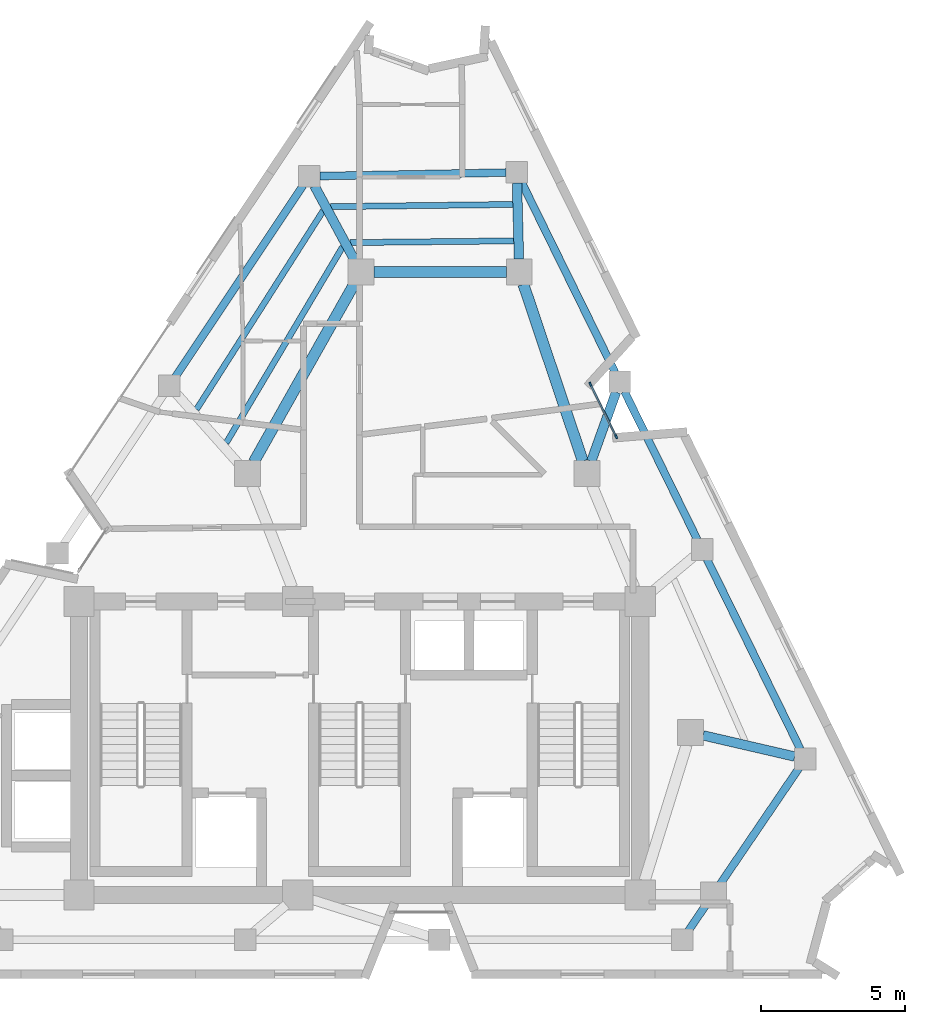
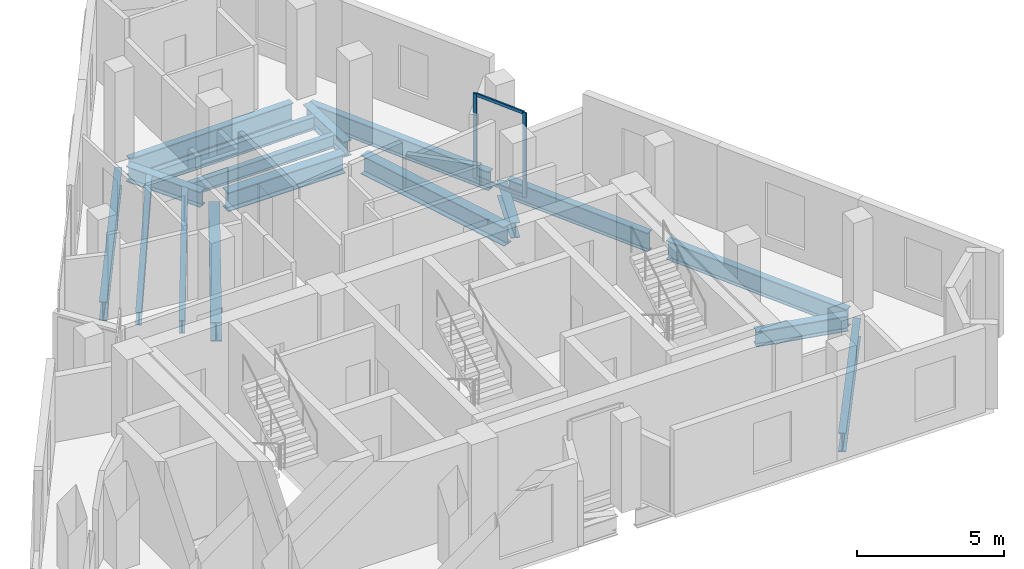
# One storey, part 3 of 8: 17 beams, 4 members, 1 element without a shape of its own.
"""IFC4 building model written with IfcOpenShell, lengths in metres."""

import ifcopenshell
import ifcopenshell.guid

model = None  # the IFC model being written
_history = None  # IfcOwnerHistory: only IFC2X3 demands one
_inside = {}  # id of a spatial element -> (the spatial element, [elements in it])
_under = {}  # id of a project, library or spatial element -> (it, [spatial elements below it])
_declared = {}  # id of a project -> (the project, [libraries it declares])
_typed = {}  # id of a type object -> (the type object, [elements of that type])
_made_of = {}  # id of a material, layer set ... -> (it, [elements and type objects made of it])


def new_model(schema):
    """Start an empty IFC model of exactly this schema.

    Asked for "IFC4X3", IfcOpenShell would pick the latest addendum, in which some entities
    have other attributes; the version numbers below select the first issue.
    IFC2X3 requires an IfcOwnerHistory on every rooted entity: one is made here for all.
    """
    global model, _history
    if schema == "IFC4X3":
        model = ifcopenshell.file(schema_version=(4, 3, 0, 0))
    else:
        model = ifcopenshell.file(schema=schema)
    _inside.clear()
    _under.clear()
    _declared.clear()
    _typed.clear()
    _made_of.clear()
    _history = None
    if model.schema == "IFC2X3":
        org = make("IfcOrganization", Name="unknown")
        user = make(
            "IfcPersonAndOrganization",
            ThePerson=make("IfcPerson", FamilyName="unknown"),
            TheOrganization=org,
        )
        app = make(
            "IfcApplication",
            ApplicationDeveloper=org,
            Version="unknown",
            ApplicationFullName="unknown",
            ApplicationIdentifier="unknown",
        )
        _history = make(
            "IfcOwnerHistory",
            OwningUser=user,
            OwningApplication=app,
            ChangeAction="ADDED",
            CreationDate=0,
        )
    return model


def make(cls, **values):
    """One entity of the class cls with the attributes given. An attribute that is None is left unset."""
    return model.create_entity(
        cls, **{name: value for name, value in values.items() if value is not None}
    )


def rooted(cls, **values):
    """An entity with a GlobalId (a new one), such as an element, a storey or a relation."""
    return make(cls, GlobalId=ifcopenshell.guid.new(), OwnerHistory=_history, **values)


def si_unit(unit_type, name, prefix=None):
    """IfcSIUnit, for example si_unit("LENGTHUNIT", "METRE", prefix="MILLI")."""
    return make("IfcSIUnit", UnitType=unit_type, Prefix=prefix, Name=name)


def assignment(units):
    """IfcUnitAssignment: the units of a project."""
    return None if units is None else make("IfcUnitAssignment", Units=units)


def point(xyz):
    """IfcCartesianPoint."""
    return None if xyz is None else make("IfcCartesianPoint", Coordinates=xyz)


def direction(xyz):
    """IfcDirection."""
    return None if xyz is None else make("IfcDirection", DirectionRatios=xyz)


def frame(location, z_axis=None, x_axis=None):
    """IfcAxis2Placement3D, a coordinate frame: its origin and axes. An axis left out is left unset."""
    return make(
        "IfcAxis2Placement3D",
        Location=point(location),
        Axis=direction(z_axis),
        RefDirection=direction(x_axis),
    )


def frame_2d(location, x_axis=None):
    """IfcAxis2Placement2D, a coordinate frame in the plane: its origin and x axis."""
    return make(
        "IfcAxis2Placement2D", Location=point(location), RefDirection=direction(x_axis)
    )


def origin():
    """The frame at (0, 0, 0) with its axes left unset."""
    return frame((0.0, 0.0, 0.0))


def origin_2d():
    """The frame at (0, 0) in the plane with its x axis left unset."""
    return frame_2d((0.0, 0.0))


def place(relative_to, where):
    """IfcLocalPlacement: puts the frame where relative to a parent placement (None: the world)."""
    return make(
        "IfcLocalPlacement", PlacementRelTo=relative_to, RelativePlacement=where
    )


def context(
    kind, dimensions, precision=None, world=None, true_north=None, identifier=None
):
    """IfcGeometricRepresentationContext, for example the 3D "Model" context."""
    return make(
        "IfcGeometricRepresentationContext",
        ContextIdentifier=identifier,
        ContextType=kind,
        CoordinateSpaceDimension=dimensions,
        Precision=precision,
        WorldCoordinateSystem=world,
        TrueNorth=true_north,
    )


def subcontext(parent, identifier, kind, view, scale=None):
    """IfcGeometricRepresentationSubContext, for example "Body" below "Model"."""
    return make(
        "IfcGeometricRepresentationSubContext",
        ContextIdentifier=identifier,
        ContextType=kind,
        ParentContext=parent,
        TargetScale=scale,
        TargetView=view,
    )


def project(units=None, contexts=None):
    """IfcProject with its units and contexts."""
    return rooted(
        "IfcProject",
        Name="project",
        RepresentationContexts=contexts,
        UnitsInContext=assignment(units),
    )


def spatial(cls, under=None, at=None, **own):
    """A site, building, storey or space (cls), placed at a placement, below another one or the project."""
    s = rooted(cls, ObjectPlacement=at, **own)
    if under is not None:
        _under.setdefault(under.id(), (under, []))[1].append(s)
    return s


def profile(cls, at=None, kind="AREA", **sizes):
    """A parametric profile (cls). Its sizes go by their IFC names, for example OverallWidth=200.0."""
    return make(cls, ProfileType=kind, Position=at, **sizes)


def rectangle(**sizes):
    """IfcRectangleProfileDef."""
    return profile("IfcRectangleProfileDef", **sizes)


def i_section(**sizes):
    """IfcIShapeProfileDef."""
    return profile("IfcIShapeProfileDef", **sizes)


def extrude(swept, where, along, depth):
    """IfcExtrudedAreaSolid: the profile swept, set in the frame where, extruded along a direction by depth."""
    return make(
        "IfcExtrudedAreaSolid",
        SweptArea=swept,
        Position=where,
        ExtrudedDirection=direction(along),
        Depth=depth,
    )


def shape(context_of_items, identifier, shape_type, items):
    """IfcShapeRepresentation: the items that make up one representation, for example the "Body"."""
    return make(
        "IfcShapeRepresentation",
        ContextOfItems=context_of_items,
        RepresentationIdentifier=identifier,
        RepresentationType=shape_type,
        Items=items,
    )


def material(Name=None, Category=None):
    """IfcMaterial."""
    return make("IfcMaterial", Name=Name, Category=Category)


def layer(
    of_material, thickness, ventilated=None, Name=None, Category=None, Priority=None
):
    """IfcMaterialLayer: one layer of a wall or slab, of a material (None: an air gap)."""
    return make(
        "IfcMaterialLayer",
        Material=of_material,
        LayerThickness=thickness,
        IsVentilated=ventilated,
        Name=Name,
        Category=Category,
        Priority=Priority,
    )


def layer_set(layers, Name=None):
    """IfcMaterialLayerSet."""
    return make("IfcMaterialLayerSet", MaterialLayers=layers, LayerSetName=Name)


def material_profile(
    of_material, cross_section, Name=None, Category=None, Priority=None
):
    """IfcMaterialProfile: a cross section and its material."""
    return make(
        "IfcMaterialProfile",
        Name=Name,
        Material=of_material,
        Profile=cross_section,
        Priority=Priority,
        Category=Category,
    )


def profile_set(profiles, Name=None, composite=None):
    """IfcMaterialProfileSet."""
    return make(
        "IfcMaterialProfileSet",
        Name=Name,
        MaterialProfiles=profiles,
        CompositeProfile=composite,
    )


def made_of(thing, what):
    """Note that an element or type object is made of a material, layer set ...; save() writes the relation."""
    if what is not None:
        _made_of.setdefault(what.id(), (what, []))[1].append(thing)
    return thing


def type_object(cls, material=None, **own):
    """A type object (cls), such as IfcWallType, which elements share."""
    return made_of(rooted(cls, **own), material)


def element(
    cls,
    number,
    at=None,
    inside=None,
    cuts=None,
    type_object=None,
    material=None,
    context=None,
    identifier="Body",
    shape_type=None,
    held_by="IfcProductDefinitionShape",
    body=None,
    shapes=None,
    **own,
):
    """One element of the class cls, such as IfcWall. Its Tag is "e" and its number.

    at: its placement. inside: the storey or other place that contains it. cuts: it is an
    opening in that element (IfcRelVoidsElement). A single representation is given by context,
    identifier, shape_type and body (its items); several are given by shapes. held_by: the class
    of the entity that holds the representations. save() writes the other relations.
    """
    e = rooted(cls, Tag="e%d" % number, ObjectPlacement=at, **own)
    if body is not None:
        shapes = [shape(context, identifier, shape_type, body)]
    if shapes is not None:
        e.Representation = make(held_by, Representations=shapes)
    if inside is not None:
        _inside.setdefault(inside.id(), (inside, []))[1].append(e)
    if cuts is not None:
        rooted(
            "IfcRelVoidsElement", RelatingBuildingElement=cuts, RelatedOpeningElement=e
        )
    if type_object is not None:
        _typed.setdefault(type_object.id(), (type_object, []))[1].append(e)
    return made_of(e, material)


def aggregate(whole, parts):
    """IfcRelAggregates: a whole, such as a stair, and the parts it consists of."""
    return rooted("IfcRelAggregates", RelatingObject=whole, RelatedObjects=parts)


def save(model, path):
    """Write the relations noted so far, then the file.

    IfcRelAggregates (storeys below a building ...), IfcRelContainedInSpatialStructure (elements
    in a storey), IfcRelDefinesByType, IfcRelAssociatesMaterial and IfcRelDeclares: one each for
    every whole, place, type object, material and project.
    """
    for whole, parts in _under.values():
        aggregate(whole, parts)
    for where, things in _inside.values():
        rooted(
            "IfcRelContainedInSpatialStructure",
            RelatedElements=things,
            RelatingStructure=where,
        )
    for kind, things in _typed.values():
        rooted("IfcRelDefinesByType", RelatedObjects=things, RelatingType=kind)
    for what, things in _made_of.values():
        rooted("IfcRelAssociatesMaterial", RelatedObjects=things, RelatingMaterial=what)
    for by, libraries in _declared.values():
        rooted("IfcRelDeclares", RelatingContext=by, RelatedDefinitions=libraries)
    model.write(path)


model = new_model("IFC4")

# Units and contexts
model_context = context("Model", 3, precision=1e-05, world=origin(), true_north=direction((0.0, 1.0)))
body_context = subcontext(model_context, "Body", "Model", "MODEL_VIEW")
ifc_project = project(units=[si_unit("LENGTHUNIT", "METRE"), si_unit("AREAUNIT", "SQUARE_METRE"), si_unit("VOLUMEUNIT", "CUBIC_METRE"), si_unit("PLANEANGLEUNIT", "RADIAN"), si_unit("MASSUNIT", "GRAM", prefix="KILO")], contexts=[model_context])

# Site, building, storey
site_placement = place(None, origin())
site = spatial("IfcSite", under=ifc_project, at=site_placement, CompositionType="ELEMENT")
building_placement = place(site_placement, origin())
building = spatial("IfcBuilding", under=site, at=building_placement, Name="Almagre Mirador Tower", CompositionType="ELEMENT")
storey_placement = place(building_placement, frame((0.0, 0.0, 282.0)))
storey = spatial("IfcBuildingStorey", under=building, at=storey_placement, Name="L73", CompositionType="ELEMENT", Elevation=282.0)

# Beams
ifc_material_1 = material(Name="Steel ASTM A992 Grade 50", Category="steel")
ifc_material_profile_1 = material_profile(ifc_material_1, i_section(OverallWidth=0.208984375, OverallDepth=0.532958984375, WebThickness=0.01025390625, FlangeThickness=0.015625, FilletRadius=0.01806640625, at=origin_2d()), Name="W21X62")
ifc_profile_set_1 = profile_set([ifc_material_profile_1], Name="Steel ASTM A992 Grade 50")
beam_type_1 = type_object("IfcBeamType", Name="BM-JST-W21X62", PredefinedType="JOIST", material=ifc_profile_set_1)
beam_1_placement = place(storey_placement, frame((42.62451171875, 28.546630859375, -0.5166015625), z_axis=(-0.999926806347, -0.012098840784, 0.0), x_axis=(0.012098840784, -0.999926806347, 0.0)))
element("IfcBeam", 1, at=beam_1_placement, inside=storey, type_object=beam_type_1, Name="L73 secondary floor joist PC08-PC09.1", PredefinedType="JOIST", context=body_context, shape_type="SweptSolid", body=[
    extrude(i_section(OverallWidth=0.208984375, OverallDepth=0.532958984375, WebThickness=0.01025390625, FlangeThickness=0.015625, FilletRadius=0.01806640625, at=origin_2d()), origin(), (0.0, 0.0, 1.0), 6.336181640625),
])
beam_2_placement = place(storey_placement, frame((42.656982421875, 27.281005859375, -0.5166015625), z_axis=(-0.999945713719, -0.010419674461, 0.0), x_axis=(0.010419674461, -0.999945713719, 0.0)))
element("IfcBeam", 2, at=beam_2_placement, inside=storey, type_object=beam_type_1, Name="L73 secondary floor joist PC08-PC09.3", PredefinedType="JOIST", context=body_context, shape_type="SweptSolid", body=[
    extrude(i_section(OverallWidth=0.208984375, OverallDepth=0.532958984375, WebThickness=0.01025390625, FlangeThickness=0.015625, FilletRadius=0.01806640625, at=origin_2d()), origin(), (0.0, 0.0, 1.0), 5.693603515625),
])
beam_3_placement = place(storey_placement, frame((36.03515625, 28.328857421875, -0.5166015625), z_axis=(-0.537483129347, -0.843274501967, 0.0), x_axis=(0.843274501967, -0.537483129347, 0.0)))
element("IfcBeam", 3, at=beam_3_placement, inside=storey, type_object=beam_type_1, Name="L73 secondary floor joist PC09-PC10.1", PredefinedType="JOIST", context=body_context, shape_type="SweptSolid", body=[
    extrude(i_section(OverallWidth=0.208984375, OverallDepth=0.532958984375, WebThickness=0.01025390625, FlangeThickness=0.015625, FilletRadius=0.01806640625, at=origin_2d()), origin(), (0.0, 0.0, 1.0), 8.1875),
])
beam_4_placement = place(storey_placement, frame((36.71435546875, 27.078125, -0.5166015625), z_axis=(-0.510523100762, -0.85986403785, 0.0), x_axis=(0.85986403785, -0.510523100762, 0.0)))
element("IfcBeam", 4, at=beam_4_placement, inside=storey, type_object=beam_type_1, Name="L73 secondary floor joist PC09-PC10.3", PredefinedType="JOIST", context=body_context, shape_type="SweptSolid", body=[
    extrude(i_section(OverallWidth=0.208984375, OverallDepth=0.532958984375, WebThickness=0.01025390625, FlangeThickness=0.015625, FilletRadius=0.01806640625, at=origin_2d()), origin(), (0.0, 0.0, 1.0), 7.927978515625),
])
ifc_material_2 = material(Name="Steel ASTM A992 Grade 50", Category="steel")
ifc_material_profile_2 = material_profile(ifc_material_2, i_section(OverallWidth=0.26708984375, OverallDepth=0.779052734375, WebThickness=0.0166015625, FlangeThickness=0.030029296875, FilletRadius=0.02392578125, at=origin_2d()), Name="W30X148")
ifc_profile_set_2 = profile_set([ifc_material_profile_2], Name="Steel ASTM A992 Grade 50")
beam_type_2 = type_object("IfcBeamType", Name="BM-SPN-W30X148", PredefinedType="SPANDREL", material=ifc_profile_set_2)
beam_5_placement = place(storey_placement, frame((48.726806640625, 3.31005859375, -0.639404296875), z_axis=(0.562310021407, 0.82692650207, 0.0), x_axis=(-0.82692650207, 0.562310021407, 0.0)))
element("IfcBeam", 5, at=beam_5_placement, inside=storey, type_object=beam_type_2, Name="L73 perimeter spandrel beam PC04-PC05", PredefinedType="SPANDREL", context=body_context, shape_type="SweptSolid", body=[
    extrude(i_section(OverallWidth=0.26708984375, OverallDepth=0.779052734375, WebThickness=0.0166015625, FlangeThickness=0.030029296875, FilletRadius=0.02392578125, at=origin_2d()), origin(), (0.0, 0.0, 1.0), 6.842041015625),
])
beam_6_placement = place(storey_placement, frame((52.619384765625, 9.614501953125, -0.639404296875), z_axis=(-0.441261435998, 0.897378596302, 0.0), x_axis=(-0.897378596302, -0.441261435998, 0.0)))
element("IfcBeam", 6, at=beam_6_placement, inside=storey, type_object=beam_type_2, Name="L73 perimeter spandrel beam PC05-PC06", PredefinedType="SPANDREL", context=body_context, shape_type="SweptSolid", body=[
    extrude(i_section(OverallWidth=0.26708984375, OverallDepth=0.779052734375, WebThickness=0.0166015625, FlangeThickness=0.030029296875, FilletRadius=0.02392578125, at=origin_2d()), origin(), (0.0, 0.0, 1.0), 7.362548828125),
])
beam_7_placement = place(storey_placement, frame((49.03955078125, 16.89453125, -0.639404296875), z_axis=(-0.441283159843, 0.897367913867, 0.0), x_axis=(-0.897367913867, -0.441283159843, 0.0)))
element("IfcBeam", 7, at=beam_7_placement, inside=storey, type_object=beam_type_2, Name="L73 perimeter spandrel beam PC06-PC07", PredefinedType="SPANDREL", context=body_context, shape_type="SweptSolid", body=[
    extrude(i_section(OverallWidth=0.26708984375, OverallDepth=0.779052734375, WebThickness=0.0166015625, FlangeThickness=0.030029296875, FilletRadius=0.02392578125, at=origin_2d()), origin(), (0.0, 0.0, 1.0), 5.739990234375),
])
beam_8_placement = place(storey_placement, frame((46.175537109375, 22.718505859375, -0.639404296875), z_axis=(-0.441288138853, 0.897365465408, 0.0), x_axis=(-0.897365465408, -0.441288138853, 0.0)))
element("IfcBeam", 8, at=beam_8_placement, inside=storey, type_object=beam_type_2, Name="L73 perimeter spandrel beam PC07-PC08", PredefinedType="SPANDREL", context=body_context, shape_type="SweptSolid", body=[
    extrude(i_section(OverallWidth=0.26708984375, OverallDepth=0.779052734375, WebThickness=0.0166015625, FlangeThickness=0.030029296875, FilletRadius=0.02392578125, at=origin_2d()), origin(), (0.0, 0.0, 1.0), 7.362548828125),
])
beam_9_placement = place(storey_placement, frame((42.385986328125, 29.65478515625, -0.639404296875), z_axis=(-0.99982288109, -0.018820373253, 0.0), x_axis=(0.018820373253, -0.99982288109, 0.0)))
element("IfcBeam", 9, at=beam_9_placement, inside=storey, type_object=beam_type_2, Name="L73 perimeter spandrel beam PC08-PC09", PredefinedType="SPANDREL", context=body_context, shape_type="SweptSolid", body=[
    extrude(i_section(OverallWidth=0.26708984375, OverallDepth=0.779052734375, WebThickness=0.0166015625, FlangeThickness=0.030029296875, FilletRadius=0.02392578125, at=origin_2d()), origin(), (0.0, 0.0, 1.0), 6.460205078125),
])
beam_10_placement = place(storey_placement, frame((35.34375, 29.214111328125, -0.639404296875), z_axis=(-0.555228061938, -0.831698141898, 0.0), x_axis=(0.831698141898, -0.555228061938, 0.0)))
element("IfcBeam", 10, at=beam_10_placement, inside=storey, type_object=beam_type_2, Name="L73 perimeter spandrel beam PC09-PC10", PredefinedType="SPANDREL", context=body_context, shape_type="SweptSolid", body=[
    extrude(i_section(OverallWidth=0.26708984375, OverallDepth=0.779052734375, WebThickness=0.0166015625, FlangeThickness=0.030029296875, FilletRadius=0.02392578125, at=origin_2d()), origin(), (0.0, 0.0, 1.0), 8.003173828125),
])
ifc_material_3 = material(Name="Steel ASTM A992 Grade 50", Category="steel")
ifc_material_profile_3 = material_profile(ifc_material_3, i_section(OverallWidth=0.330078125, OverallDepth=0.635009765625, WebThickness=0.017822265625, FlangeThickness=0.031005859375, FilletRadius=0.02001953125, at=origin_2d()), Name="W24X162")
ifc_profile_set_3 = profile_set([ifc_material_profile_3], Name="Steel ASTM A992 Grade 50")
beam_type_3 = type_object("IfcBeamType", Name="BM-STL-W24X162", PredefinedType="BEAM", material=ifc_profile_set_3)
beam_11_placement = place(storey_placement, frame((52.419677734375, 9.362548828125, -0.5673828125), z_axis=(-0.974262507949, 0.225416427094, 0.0), x_axis=(-0.225416427094, -0.974262507949, 0.0)))
element("IfcBeam", 11, at=beam_11_placement, inside=storey, type_object=beam_type_3, Name="L73 radial floor girder PC05-MC3", PredefinedType="BEAM", context=body_context, shape_type="SweptSolid", body=[
    extrude(i_section(OverallWidth=0.330078125, OverallDepth=0.635009765625, WebThickness=0.017822265625, FlangeThickness=0.031005859375, FilletRadius=0.02001953125, at=origin_2d()), origin(), (0.0, 0.0, 1.0), 3.265380859375),
])
beam_12_placement = place(storey_placement, frame((46.21435546875, 22.029052734375, -0.5673828125), z_axis=(-0.337528381074, -0.941315352031, 0.0), x_axis=(0.941315352031, -0.337528381074, 0.0)))
element("IfcBeam", 12, at=beam_12_placement, inside=storey, type_object=beam_type_3, Name="L73 radial floor girder PC07-MC5", PredefinedType="BEAM", context=body_context, shape_type="SweptSolid", body=[
    extrude(i_section(OverallWidth=0.330078125, OverallDepth=0.635009765625, WebThickness=0.017822265625, FlangeThickness=0.031005859375, FilletRadius=0.02001953125, at=origin_2d()), origin(), (0.0, 0.0, 1.0), 2.555419921875),
])
beam_13_placement = place(storey_placement, frame((42.7705078125, 29.287109375, -0.5673828125), z_axis=(0.025727456063, -0.99966899422, 0.0), x_axis=(0.99966899422, 0.025727456063, 0.0)))
element("IfcBeam", 13, at=beam_13_placement, inside=storey, type_object=beam_type_3, Name="L73 radial floor girder PC08-MC6", PredefinedType="BEAM", context=body_context, shape_type="SweptSolid", body=[
    extrude(i_section(OverallWidth=0.330078125, OverallDepth=0.635009765625, WebThickness=0.017822265625, FlangeThickness=0.031005859375, FilletRadius=0.02001953125, at=origin_2d()), origin(), (0.0, 0.0, 1.0), 2.63818359375),
])
beam_14_placement = place(storey_placement, frame((35.730224609375, 29.196044921875, -0.5673828125), z_axis=(0.475596501602, -0.879663553675, 0.0), x_axis=(0.879663553675, 0.475596501602, 0.0)))
element("IfcBeam", 14, at=beam_14_placement, inside=storey, type_object=beam_type_3, Name="L73 radial floor girder PC09-MC7", PredefinedType="BEAM", context=body_context, shape_type="SweptSolid", body=[
    extrude(i_section(OverallWidth=0.330078125, OverallDepth=0.635009765625, WebThickness=0.017822265625, FlangeThickness=0.031005859375, FilletRadius=0.02001953125, at=origin_2d()), origin(), (0.0, 0.0, 1.0), 2.955810546875),
])
ifc_material_4 = material(Name="Steel ASTM A992 Grade 50", Category="steel")
ifc_material_profile_4 = material_profile(ifc_material_4, i_section(OverallWidth=0.384033203125, OverallDepth=0.784912109375, WebThickness=0.019775390625, FlangeThickness=0.033447265625, FilletRadius=0.02392578125, at=origin_2d()), Name="W30X211")
ifc_profile_set_4 = profile_set([ifc_material_profile_4], Name="Steel ASTM A992 Grade 50")
beam_type_4 = type_object("IfcBeamType", Name="BM-STL-W30X211", PredefinedType="BEAM", material=ifc_profile_set_4)
beam_15_placement = place(storey_placement, frame((37.800048828125, 26.199951171875, -0.642578125), z_axis=(1.0, 0.0, 0.0), x_axis=(0.0, 1.0, 0.0)))
element("IfcBeam", 15, at=beam_15_placement, inside=storey, type_object=beam_type_4, Name="L73 core tie girder MC7-MC6", PredefinedType="BEAM", context=body_context, shape_type="SweptSolid", body=[
    extrude(i_section(OverallWidth=0.384033203125, OverallDepth=0.784912109375, WebThickness=0.019775390625, FlangeThickness=0.033447265625, FilletRadius=0.02392578125, at=origin_2d()), origin(), (0.0, 0.0, 1.0), 4.599853515625),
])
beam_16_placement = place(storey_placement, frame((42.9931640625, 25.7734375, -0.642578125), z_axis=(0.318282890726, -0.947995781357, 0.0), x_axis=(0.947995781357, 0.318282890726, 0.0)))
element("IfcBeam", 16, at=beam_16_placement, inside=storey, type_object=beam_type_4, Name="L73 core tie girder MC6-MC5", PredefinedType="BEAM", context=body_context, shape_type="SweptSolid", body=[
    extrude(i_section(OverallWidth=0.384033203125, OverallDepth=0.784912109375, WebThickness=0.019775390625, FlangeThickness=0.033447265625, FilletRadius=0.02392578125, at=origin_2d()), origin(), (0.0, 0.0, 1.0), 6.48388671875),
])
beam_17_placement = place(storey_placement, frame((37.12890625, 25.80810546875, -0.642578125), z_axis=(-0.491446261843, -0.870907900825, 0.0), x_axis=(0.870907900825, -0.491446261843, 0.0)))
element("IfcBeam", 17, at=beam_17_placement, inside=storey, type_object=beam_type_4, Name="L73 core tie girder MC7-MC8", PredefinedType="BEAM", context=body_context, shape_type="SweptSolid", body=[
    extrude(i_section(OverallWidth=0.384033203125, OverallDepth=0.784912109375, WebThickness=0.019775390625, FlangeThickness=0.033447265625, FilletRadius=0.02392578125, at=origin_2d()), origin(), (0.0, 0.0, 1.0), 7.1376953125),
])

# Curtain wall, members
ifc_material_5 = material(Name="Black anodized aluminium", Category="aluminium")
ifc_layer = layer(ifc_material_5, 0.169921875)
ifc_layer_set = layer_set([ifc_layer], Name="Black anodized aluminium")
curtain_wall_type = type_object("IfcCurtainWallType", Name="CW-CRS-SYS", PredefinedType="NOTDEFINED", material=ifc_layer_set)
curtain_wall_placement = place(storey_placement, origin())
curtain_wall = element("IfcCurtainWall", 18, at=curtain_wall_placement, inside=storey, type_object=curtain_wall_type, Name="L73 vertical crease curtain wall 03", PredefinedType="NOTDEFINED")
ifc_material_6 = material(Name="Black anodized aluminium", Category="aluminium")
ifc_material_profile_5 = material_profile(ifc_material_6, rectangle(XDim=0.06005859375, YDim=0.14990234375, at=origin_2d()), Name="CWM60X150")
ifc_profile_set_5 = profile_set([ifc_material_profile_5], Name="Black anodized aluminium")
member_type_1 = type_object("IfcMemberType", Name="MBR-CWM60X150", PredefinedType="MULLION", material=ifc_profile_set_5)
member_1_placement = place(storey_placement, frame((45.3232421875, 22.300048828125, 0.0), z_axis=(0.0, 0.0, 1.0), x_axis=(0.897467953869, 0.441079666023, 0.0)))
member_1 = element("IfcMember", 19, at=member_1_placement, type_object=member_type_1, Name="CW-4 mullion 1", PredefinedType="MULLION", context=body_context, shape_type="SweptSolid", body=[
    extrude(rectangle(XDim=0.06005859375, YDim=0.14990234375, at=origin_2d()), origin(), (0.0, 0.0, 1.0), 3.5),
])
member_2_placement = place(storey_placement, frame((46.21875, 20.47802734375, 0.0), z_axis=(0.0, 0.0, 1.0), x_axis=(0.897467953869, 0.441079666023, 0.0)))
member_2 = element("IfcMember", 20, at=member_2_placement, type_object=member_type_1, Name="CW-4 mullion 2", PredefinedType="MULLION", context=body_context, shape_type="SweptSolid", body=[
    extrude(rectangle(XDim=0.06005859375, YDim=0.14990234375, at=origin_2d()), origin(), (0.0, 0.0, 1.0), 3.5),
])
ifc_material_7 = material(Name="Black anodized aluminium", Category="aluminium")
ifc_material_profile_6 = material_profile(ifc_material_7, rectangle(XDim=0.06005859375, YDim=0.1298828125, at=origin_2d()), Name="CWT60X130")
ifc_profile_set_6 = profile_set([ifc_material_profile_6], Name="Black anodized aluminium")
member_type_2 = type_object("IfcMemberType", Name="MBR-CWT60X130", PredefinedType="USERDEFINED", material=ifc_profile_set_6)
member_3_placement = place(storey_placement, frame((45.33642578125, 22.273193359375, 0.030029296875), z_axis=(0.441107009828, -0.897454514658, 0.0), x_axis=(0.897454514658, 0.441107009828, 0.0)))
member_3 = element("IfcMember", 21, at=member_3_placement, type_object=member_type_2, Name="CW-4 transom 1.1", ObjectType="TRANSOM", PredefinedType="USERDEFINED", context=body_context, shape_type="SweptSolid", body=[
    extrude(rectangle(XDim=0.06005859375, YDim=0.1298828125, at=origin_2d()), origin(), (0.0, 0.0, 1.0), 1.970458984375),
])
member_4_placement = place(storey_placement, frame((45.33642578125, 22.273193359375, 3.469970703125), z_axis=(0.441107009828, -0.897454514658, 0.0), x_axis=(0.897454514658, 0.441107009828, 0.0)))
member_4 = element("IfcMember", 22, at=member_4_placement, type_object=member_type_2, Name="CW-4 transom 1.2", ObjectType="TRANSOM", PredefinedType="USERDEFINED", context=body_context, shape_type="SweptSolid", body=[
    extrude(rectangle(XDim=0.06005859375, YDim=0.1298828125, at=origin_2d()), origin(), (0.0, 0.0, 1.0), 1.970458984375),
])
aggregate(curtain_wall, [member_1, member_2, member_3, member_4])

save(model, "model.ifc")
